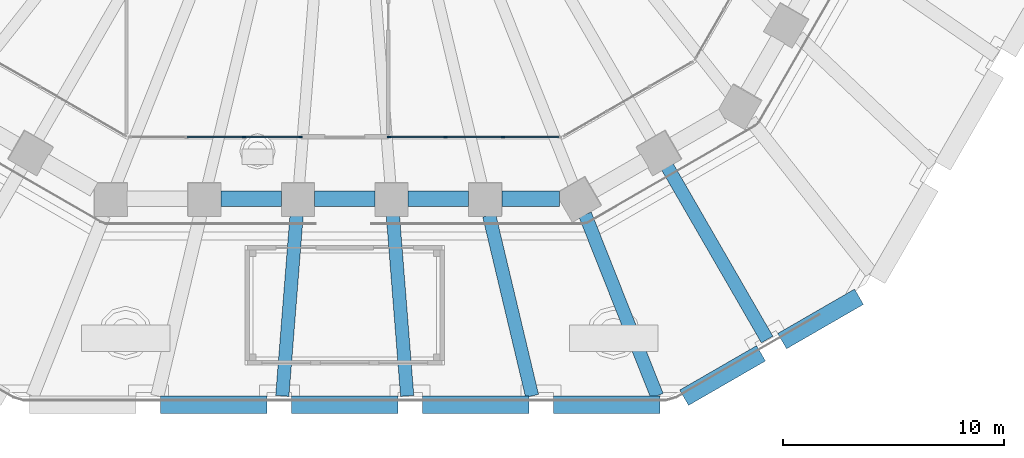
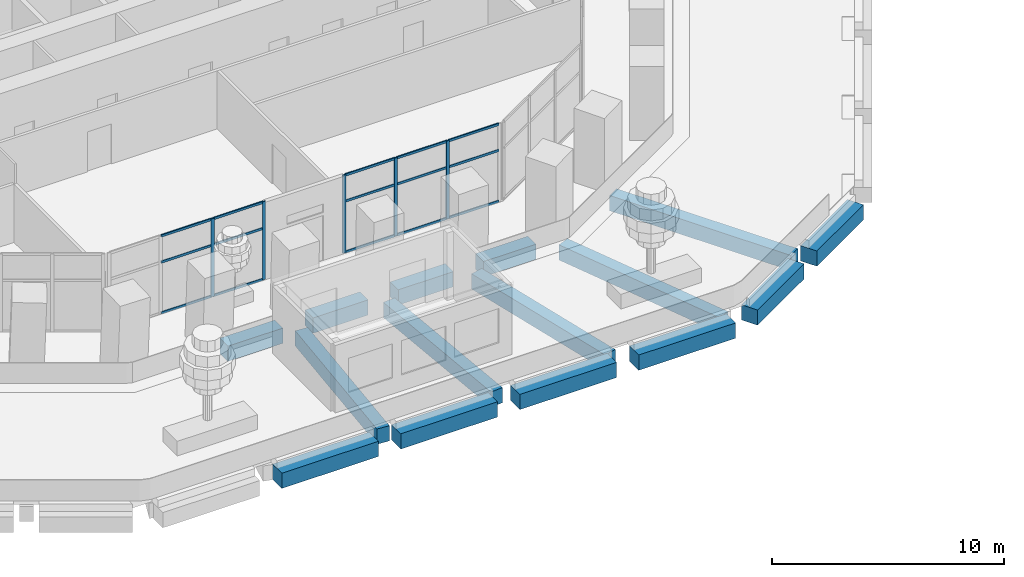
# One storey, part 6 of 32: 20 members, 15 beams, 2 elements without a shape of their own.
"""IFC4 building model written with IfcOpenShell, lengths in metres."""

from ifc_helpers import new_model, si_unit, direction, frame, origin, origin_2d, place, context, subcontext, project, spatial, rectangle, extrude, material, material_profile, profile_set, type_object, element, aggregate, save


model = new_model("IFC4")

# Units and contexts
model_context = context("Model", 3, precision=1e-05, world=origin(), true_north=direction((0.0, 1.0)))
body_context = subcontext(model_context, "Body", "Model", "MODEL_VIEW")
ifc_project = project(units=[si_unit("LENGTHUNIT", "METRE"), si_unit("AREAUNIT", "SQUARE_METRE"), si_unit("VOLUMEUNIT", "CUBIC_METRE"), si_unit("PLANEANGLEUNIT", "RADIAN"), si_unit("MASSUNIT", "GRAM", prefix="KILO")], contexts=[model_context])

# Site, building, storey
site_placement = place(None, origin())
site = spatial("IfcSite", under=ifc_project, at=site_placement, CompositionType="ELEMENT")
building_placement = place(site_placement, origin())
building = spatial("IfcBuilding", under=site, at=building_placement, Name="Frailejon Research Tower", CompositionType="ELEMENT")
storey_placement = place(building_placement, frame((0.0, 0.0, 14.60009765625)))
storey = spatial("IfcBuildingStorey", under=building, at=storey_placement, Name="L03", CompositionType="ELEMENT", Elevation=14.60009765625)

# Beams
ifc_material_1 = material(Name="Concrete C60/75", Category="concrete")
ifc_material_profile_1 = material_profile(ifc_material_1, rectangle(XDim=0.800048828125, YDim=0.800048828125, at=origin_2d()), Name="Base ring beam")
ifc_profile_set_1 = profile_set([ifc_material_profile_1], Name="Concrete C60/75")
beam_type_1 = type_object("IfcBeamType", Name="Base ring beam", PredefinedType="BEAM", material=ifc_profile_set_1)
for number, where, z_axis, x_axis, name in (
    (1, (-8.32080078125, -36.0, -0.800048828125), (1.0, 0.0, 0.0), (0.0, 1.0, 0.0), "Base ring beam"),
    (2, (-2.406982421875, -36.0, -0.800048828125), (1.0, 0.0, 0.0), (0.0, 1.0, 0.0), "Base ring beam"),
    (3, (3.5068359375, -36.0, -0.800048828125), (1.0, 0.0, 0.0), (0.0, 1.0, 0.0), "Base ring beam"),
):
    element("IfcBeam", number, at=place(storey_placement, frame(where, z_axis=z_axis, x_axis=x_axis)), inside=storey, type_object=beam_type_1, Name=name, PredefinedType="BEAM", context=body_context, shape_type="SweptSolid", body=[
        extrude(rectangle(XDim=0.800048828125, YDim=0.800048828125, at=origin_2d()), origin(), (0.0, 0.0, 1.0), 4.81396484375),
    ])
beam_1_placement = place(storey_placement, frame((9.4208984375, -36.0, -0.800048828125), z_axis=(1.0, 0.0, 0.0), x_axis=(0.0, 1.0, 0.0)))
element("IfcBeam", 4, at=beam_1_placement, inside=storey, type_object=beam_type_1, Name="Base ring beam", PredefinedType="BEAM", context=body_context, shape_type="SweptSolid", body=[
    extrude(rectangle(XDim=0.800048828125, YDim=0.800048828125, at=origin_2d()), origin(), (0.0, 0.0, 1.0), 4.813720703125),
])
for number, where, z_axis, x_axis, name in (
    (5, (15.334716796875, -35.6826171875, -0.800048828125), (0.866013269967, 0.500021015799, 0.0), (-0.500021015799, 0.866013269967, 0.0), "Base ring beam"),
    (6, (19.760986328125, -33.126953125, -0.800048828125), (0.866013269967, 0.500021015799, 0.0), (-0.500021015799, 0.866013269967, 0.0), "Base ring beam"),
):
    element("IfcBeam", number, at=place(storey_placement, frame(where, z_axis=z_axis, x_axis=x_axis)), inside=storey, type_object=beam_type_1, Name=name, PredefinedType="BEAM", context=body_context, shape_type="SweptSolid", body=[
        extrude(rectangle(XDim=0.800048828125, YDim=0.800048828125, at=origin_2d()), origin(), (0.0, 0.0, 1.0), 4.010986328125),
    ])

# Curtain wall, members
ifc_material_2 = material(Name="Aluminium curtain wall", Category="aluminium")
curtain_wall_type = type_object("IfcCurtainWallType", Name="Base zone unitised curtain wall system", PredefinedType="NOTDEFINED", material=ifc_material_2)
curtain_wall_1_placement = place(storey_placement, origin())
curtain_wall_1 = element("IfcCurtainWall", 7, at=curtain_wall_1_placement, inside=storey, type_object=curtain_wall_type, Name="Curtain wall L03", PredefinedType="NOTDEFINED")
ifc_material_3 = material(Name="Aluminium extrusion", Category="aluminium")
ifc_material_profile_2 = material_profile(ifc_material_3, rectangle(XDim=0.06005859375, YDim=0.159912109375, at=origin_2d()), Name="Base zone unitised curtain wall mullion 60x160")
ifc_profile_set_2 = profile_set([ifc_material_profile_2], Name="Aluminium extrusion")
member_type_1 = type_object("IfcMemberType", Name="Base zone unitised curtain wall mullion 60x160", PredefinedType="MULLION", material=ifc_profile_set_2)
member_1_placement = place(storey_placement, frame((-4.5537109375, -23.89990234375, 0.0), z_axis=(0.0, 0.0, 1.0), x_axis=(0.0, 1.0, 0.0)))
member_1 = element("IfcMember", 8, at=member_1_placement, type_object=member_type_1, Name="CW3-058 mullion 3", PredefinedType="MULLION", context=body_context, shape_type="SweptSolid", body=[
    extrude(rectangle(XDim=0.06005859375, YDim=0.159912109375, at=origin_2d()), origin(), (0.0, 0.0, 1.0), 4.099853515625),
])
member_2_placement = place(storey_placement, frame((-1.995849609375, -23.89990234375, 0.0), z_axis=(0.0, 0.0, 1.0), x_axis=(0.0, 1.0, 0.0)))
member_2 = element("IfcMember", 9, at=member_2_placement, type_object=member_type_1, Name="CW3-058 mullion 4", PredefinedType="MULLION", context=body_context, shape_type="SweptSolid", body=[
    extrude(rectangle(XDim=0.06005859375, YDim=0.159912109375, at=origin_2d()), origin(), (0.0, 0.0, 1.0), 4.099853515625),
])

curtain_wall_2_placement = place(storey_placement, origin())
curtain_wall_2 = element("IfcCurtainWall", 10, at=curtain_wall_2_placement, inside=storey, type_object=curtain_wall_type, Name="Curtain wall L03", PredefinedType="NOTDEFINED")
member_3_placement = place(storey_placement, frame((1.995849609375, -23.89990234375, 0.0), z_axis=(0.0, 0.0, 1.0), x_axis=(0.0, 1.0, 0.0)))
member_3 = element("IfcMember", 11, at=member_3_placement, type_object=member_type_1, Name="CW3-059 mullion 1", PredefinedType="MULLION", context=body_context, shape_type="SweptSolid", body=[
    extrude(rectangle(XDim=0.06005859375, YDim=0.159912109375, at=origin_2d()), origin(), (0.0, 0.0, 1.0), 4.099853515625),
])
member_4_placement = place(storey_placement, frame((4.5537109375, -23.89990234375, 0.0), z_axis=(0.0, 0.0, 1.0), x_axis=(0.0, 1.0, 0.0)))
member_4 = element("IfcMember", 12, at=member_4_placement, type_object=member_type_1, Name="CW3-059 mullion 2", PredefinedType="MULLION", context=body_context, shape_type="SweptSolid", body=[
    extrude(rectangle(XDim=0.06005859375, YDim=0.159912109375, at=origin_2d()), origin(), (0.0, 0.0, 1.0), 4.099853515625),
])
member_5_placement = place(storey_placement, frame((7.1416015625, -23.89990234375, 0.0), z_axis=(0.0, 0.0, 1.0), x_axis=(0.0, 1.0, 0.0)))
member_5 = element("IfcMember", 13, at=member_5_placement, type_object=member_type_1, Name="CW3-059 mullion 3", PredefinedType="MULLION", context=body_context, shape_type="SweptSolid", body=[
    extrude(rectangle(XDim=0.06005859375, YDim=0.159912109375, at=origin_2d()), origin(), (0.0, 0.0, 1.0), 4.099853515625),
])

# Member
ifc_material_4 = material(Name="Aluminium extrusion", Category="aluminium")
ifc_material_profile_3 = material_profile(ifc_material_4, rectangle(XDim=0.06005859375, YDim=0.1201171875, at=origin_2d()), Name="Base zone unitised curtain wall transom 60x120")
ifc_profile_set_3 = profile_set([ifc_material_profile_3], Name="Aluminium extrusion")
member_type_2 = type_object("IfcMemberType", Name="Base zone unitised curtain wall transom 60x120", PredefinedType="USERDEFINED", material=ifc_profile_set_3)
member_6_placement = place(storey_placement, frame((-7.11181640625, -23.89990234375, 0.02978515625), z_axis=(1.0, 0.0, 0.0), x_axis=(0.0, 1.0, 0.0)))
member_6 = element("IfcMember", 14, at=member_6_placement, type_object=member_type_2, Name="CW3-058 transom 2.1", ObjectType="TRANSOM", PredefinedType="USERDEFINED", context=body_context, shape_type="SweptSolid", body=[
    extrude(rectangle(XDim=0.06005859375, YDim=0.1201171875, at=origin_2d()), origin(), (0.0, 0.0, 1.0), 2.528076171875),
])

member_7_placement = place(storey_placement, frame((-7.11181640625, -23.89990234375, 2.699951171875), z_axis=(1.0, 0.0, 0.0), x_axis=(0.0, 1.0, 0.0)))
member_7 = element("IfcMember", 15, at=member_7_placement, type_object=member_type_2, Name="CW3-058 transom 2.2", ObjectType="TRANSOM", PredefinedType="USERDEFINED", context=body_context, shape_type="SweptSolid", body=[
    extrude(rectangle(XDim=0.06005859375, YDim=0.1201171875, at=origin_2d()), origin(), (0.0, 0.0, 1.0), 2.528076171875),
])

member_8_placement = place(storey_placement, frame((-7.11181640625, -23.89990234375, 4.06982421875), z_axis=(1.0, 0.0, 0.0), x_axis=(0.0, 1.0, 0.0)))
member_8 = element("IfcMember", 16, at=member_8_placement, type_object=member_type_2, Name="CW3-058 transom 2.3", ObjectType="TRANSOM", PredefinedType="USERDEFINED", context=body_context, shape_type="SweptSolid", body=[
    extrude(rectangle(XDim=0.06005859375, YDim=0.1201171875, at=origin_2d()), origin(), (0.0, 0.0, 1.0), 2.528076171875),
])

member_9_placement = place(storey_placement, frame((-4.523681640625, -23.89990234375, 0.02978515625), z_axis=(1.0, 0.0, 0.0), x_axis=(0.0, 1.0, 0.0)))
member_9 = element("IfcMember", 17, at=member_9_placement, type_object=member_type_2, Name="CW3-058 transom 3.1", ObjectType="TRANSOM", PredefinedType="USERDEFINED", context=body_context, shape_type="SweptSolid", body=[
    extrude(rectangle(XDim=0.06005859375, YDim=0.1201171875, at=origin_2d()), origin(), (0.0, 0.0, 1.0), 2.497802734375),
])

member_10_placement = place(storey_placement, frame((-4.523681640625, -23.89990234375, 2.699951171875), z_axis=(1.0, 0.0, 0.0), x_axis=(0.0, 1.0, 0.0)))
member_10 = element("IfcMember", 18, at=member_10_placement, type_object=member_type_2, Name="CW3-058 transom 3.2", ObjectType="TRANSOM", PredefinedType="USERDEFINED", context=body_context, shape_type="SweptSolid", body=[
    extrude(rectangle(XDim=0.06005859375, YDim=0.1201171875, at=origin_2d()), origin(), (0.0, 0.0, 1.0), 2.497802734375),
])

member_11_placement = place(storey_placement, frame((-4.523681640625, -23.89990234375, 4.06982421875), z_axis=(1.0, 0.0, 0.0), x_axis=(0.0, 1.0, 0.0)))
member_11 = element("IfcMember", 19, at=member_11_placement, type_object=member_type_2, Name="CW3-058 transom 3.3", ObjectType="TRANSOM", PredefinedType="USERDEFINED", context=body_context, shape_type="SweptSolid", body=[
    extrude(rectangle(XDim=0.06005859375, YDim=0.1201171875, at=origin_2d()), origin(), (0.0, 0.0, 1.0), 2.497802734375),
])

aggregate(curtain_wall_1, [member_1, member_2, member_6, member_7, member_8, member_9, member_10, member_11])

member_12_placement = place(storey_placement, frame((2.02587890625, -23.89990234375, 0.02978515625), z_axis=(1.0, 0.0, 0.0), x_axis=(0.0, 1.0, 0.0)))
member_12 = element("IfcMember", 20, at=member_12_placement, type_object=member_type_2, Name="CW3-059 transom 1.1", ObjectType="TRANSOM", PredefinedType="USERDEFINED", context=body_context, shape_type="SweptSolid", body=[
    extrude(rectangle(XDim=0.06005859375, YDim=0.1201171875, at=origin_2d()), origin(), (0.0, 0.0, 1.0), 2.497802734375),
])

member_13_placement = place(storey_placement, frame((2.02587890625, -23.89990234375, 2.699951171875), z_axis=(1.0, 0.0, 0.0), x_axis=(0.0, 1.0, 0.0)))
member_13 = element("IfcMember", 21, at=member_13_placement, type_object=member_type_2, Name="CW3-059 transom 1.2", ObjectType="TRANSOM", PredefinedType="USERDEFINED", context=body_context, shape_type="SweptSolid", body=[
    extrude(rectangle(XDim=0.06005859375, YDim=0.1201171875, at=origin_2d()), origin(), (0.0, 0.0, 1.0), 2.497802734375),
])

member_14_placement = place(storey_placement, frame((2.02587890625, -23.89990234375, 4.06982421875), z_axis=(1.0, 0.0, 0.0), x_axis=(0.0, 1.0, 0.0)))
member_14 = element("IfcMember", 22, at=member_14_placement, type_object=member_type_2, Name="CW3-059 transom 1.3", ObjectType="TRANSOM", PredefinedType="USERDEFINED", context=body_context, shape_type="SweptSolid", body=[
    extrude(rectangle(XDim=0.06005859375, YDim=0.1201171875, at=origin_2d()), origin(), (0.0, 0.0, 1.0), 2.497802734375),
])

member_15_placement = place(storey_placement, frame((4.583740234375, -23.89990234375, 0.02978515625), z_axis=(1.0, 0.0, 0.0), x_axis=(0.0, 1.0, 0.0)))
member_15 = element("IfcMember", 23, at=member_15_placement, type_object=member_type_2, Name="CW3-059 transom 2.1", ObjectType="TRANSOM", PredefinedType="USERDEFINED", context=body_context, shape_type="SweptSolid", body=[
    extrude(rectangle(XDim=0.06005859375, YDim=0.1201171875, at=origin_2d()), origin(), (0.0, 0.0, 1.0), 2.528076171875),
])

member_16_placement = place(storey_placement, frame((4.583740234375, -23.89990234375, 2.699951171875), z_axis=(1.0, 0.0, 0.0), x_axis=(0.0, 1.0, 0.0)))
member_16 = element("IfcMember", 24, at=member_16_placement, type_object=member_type_2, Name="CW3-059 transom 2.2", ObjectType="TRANSOM", PredefinedType="USERDEFINED", context=body_context, shape_type="SweptSolid", body=[
    extrude(rectangle(XDim=0.06005859375, YDim=0.1201171875, at=origin_2d()), origin(), (0.0, 0.0, 1.0), 2.528076171875),
])

member_17_placement = place(storey_placement, frame((4.583740234375, -23.89990234375, 4.06982421875), z_axis=(1.0, 0.0, 0.0), x_axis=(0.0, 1.0, 0.0)))
member_17 = element("IfcMember", 25, at=member_17_placement, type_object=member_type_2, Name="CW3-059 transom 2.3", ObjectType="TRANSOM", PredefinedType="USERDEFINED", context=body_context, shape_type="SweptSolid", body=[
    extrude(rectangle(XDim=0.06005859375, YDim=0.1201171875, at=origin_2d()), origin(), (0.0, 0.0, 1.0), 2.528076171875),
])

member_18_placement = place(storey_placement, frame((7.171630859375, -23.89990234375, 0.02978515625), z_axis=(1.0, 0.0, 0.0), x_axis=(0.0, 1.0, 0.0)))
member_18 = element("IfcMember", 26, at=member_18_placement, type_object=member_type_2, Name="CW3-059 transom 3.1", ObjectType="TRANSOM", PredefinedType="USERDEFINED", context=body_context, shape_type="SweptSolid", body=[
    extrude(rectangle(XDim=0.06005859375, YDim=0.1201171875, at=origin_2d()), origin(), (0.0, 0.0, 1.0), 2.498046875),
])

member_19_placement = place(storey_placement, frame((7.171630859375, -23.89990234375, 2.699951171875), z_axis=(1.0, 0.0, 0.0), x_axis=(0.0, 1.0, 0.0)))
member_19 = element("IfcMember", 27, at=member_19_placement, type_object=member_type_2, Name="CW3-059 transom 3.2", ObjectType="TRANSOM", PredefinedType="USERDEFINED", context=body_context, shape_type="SweptSolid", body=[
    extrude(rectangle(XDim=0.06005859375, YDim=0.1201171875, at=origin_2d()), origin(), (0.0, 0.0, 1.0), 2.498046875),
])

member_20_placement = place(storey_placement, frame((7.171630859375, -23.89990234375, 4.06982421875), z_axis=(1.0, 0.0, 0.0), x_axis=(0.0, 1.0, 0.0)))
member_20 = element("IfcMember", 28, at=member_20_placement, type_object=member_type_2, Name="CW3-059 transom 3.3", ObjectType="TRANSOM", PredefinedType="USERDEFINED", context=body_context, shape_type="SweptSolid", body=[
    extrude(rectangle(XDim=0.06005859375, YDim=0.1201171875, at=origin_2d()), origin(), (0.0, 0.0, 1.0), 2.498046875),
])

aggregate(curtain_wall_2, [member_3, member_4, member_5, member_12, member_13, member_14, member_15, member_16, member_17, member_18, member_19, member_20])

# Beams
ifc_material_5 = material(Name="Concrete C60/75", Category="concrete")
ifc_material_profile_4 = material_profile(ifc_material_5, rectangle(XDim=0.60009765625, YDim=0.800048828125, at=origin_2d()), Name="Deck girder")
ifc_profile_set_4 = profile_set([ifc_material_profile_4], Name="Concrete C60/75")
beam_type_2 = type_object("IfcBeamType", Name="Deck girder", PredefinedType="BEAM", material=ifc_profile_set_4)
for number, where, z_axis, x_axis, name in (
    (29, (-2.17529296875, -27.449951171875, -0.800048828125), (-0.0790140874, -0.996873499493, 0.0), (0.996873499493, -0.0790140874, 0.0), "Deck girder"),
    (30, (2.17529296875, -27.449951171875, -0.800048828125), (0.0790140874, -0.996873499493, 0.0), (0.996873499493, 0.0790140874, 0.0), "Deck girder"),
):
    element("IfcBeam", number, at=place(storey_placement, frame(where, z_axis=z_axis, x_axis=x_axis)), inside=storey, type_object=beam_type_2, Name=name, PredefinedType="BEAM", context=body_context, shape_type="SweptSolid", body=[
        extrude(rectangle(XDim=0.60009765625, YDim=0.800048828125, at=origin_2d()), origin(), (0.0, 0.0, 1.0), 8.17578125),
    ])
beam_2_placement = place(storey_placement, frame((6.526123046875, -27.449951171875, -0.800048828125), z_axis=(0.231307947353, -0.972880585422, 0.0), x_axis=(0.972880585422, 0.231307947353, 0.0)))
element("IfcBeam", 31, at=beam_2_placement, inside=storey, type_object=beam_type_2, Name="Deck girder", PredefinedType="BEAM", context=body_context, shape_type="SweptSolid", body=[
    extrude(rectangle(XDim=0.60009765625, YDim=0.800048828125, at=origin_2d()), origin(), (0.0, 0.0, 1.0), 8.37744140625),
])
beam_3_placement = place(storey_placement, frame((10.859130859375, -27.40478515625, -0.800048828125), z_axis=(0.368375659257, -0.929677026535, 0.0), x_axis=(0.929677026535, 0.368375659257, 0.0)))
element("IfcBeam", 32, at=beam_3_placement, inside=storey, type_object=beam_type_2, Name="Deck girder", PredefinedType="BEAM", context=body_context, shape_type="SweptSolid", body=[
    extrude(rectangle(XDim=0.60009765625, YDim=0.800048828125, at=origin_2d()), origin(), (0.0, 0.0, 1.0), 8.815185546875),
])
beam_4_placement = place(storey_placement, frame((14.581298828125, -25.255615234375, -0.800048828125), z_axis=(0.500016540626, -0.866015853839, 0.0), x_axis=(0.866015853839, 0.500016540626, 0.0)))
element("IfcBeam", 33, at=beam_4_placement, inside=storey, type_object=beam_type_2, Name="Deck girder", PredefinedType="BEAM", context=body_context, shape_type="SweptSolid", body=[
    extrude(rectangle(XDim=0.60009765625, YDim=0.800048828125, at=origin_2d()), origin(), (0.0, 0.0, 1.0), 9.006591796875),
])
ifc_material_6 = material(Name="Concrete C60/75", Category="concrete")
ifc_material_profile_5 = material_profile(ifc_material_6, rectangle(XDim=0.699951171875, YDim=0.800048828125, at=origin_2d()), Name="Spandrel 700x800")
ifc_profile_set_5 = profile_set([ifc_material_profile_5], Name="Concrete C60/75")
beam_type_3 = type_object("IfcBeamType", Name="Spandrel 700x800", PredefinedType="BEAM", material=ifc_profile_set_5)
for number, where, z_axis, x_axis, name in (
    (34, (-5.597900390625, -26.699951171875, -0.75), (1.0, 0.0, 0.0), (0.0, 1.0, 0.0), "Spandrel 700x800"),
    (35, (-1.365966796875, -26.699951171875, -0.75), (1.0, 0.0, 0.0), (0.0, 1.0, 0.0), "Spandrel 700x800"),
    (36, (2.865966796875, -26.699951171875, -0.75), (1.0, 0.0, 0.0), (0.0, 1.0, 0.0), "Spandrel 700x800"),
):
    element("IfcBeam", number, at=place(storey_placement, frame(where, z_axis=z_axis, x_axis=x_axis)), inside=storey, type_object=beam_type_3, Name=name, PredefinedType="BEAM", context=body_context, shape_type="SweptSolid", body=[
        extrude(rectangle(XDim=0.699951171875, YDim=0.800048828125, at=origin_2d()), origin(), (0.0, 0.0, 1.0), 2.73193359375),
    ])
beam_5_placement = place(storey_placement, frame((7.097900390625, -26.699951171875, -0.75), z_axis=(1.0, 0.0, 0.0), x_axis=(0.0, 1.0, 0.0)))
element("IfcBeam", 37, at=beam_5_placement, inside=storey, type_object=beam_type_3, Name="Spandrel 700x800", PredefinedType="BEAM", context=body_context, shape_type="SweptSolid", body=[
    extrude(rectangle(XDim=0.699951171875, YDim=0.800048828125, at=origin_2d()), origin(), (0.0, 0.0, 1.0), 2.615966796875),
])

save(model, "model.ifc")
